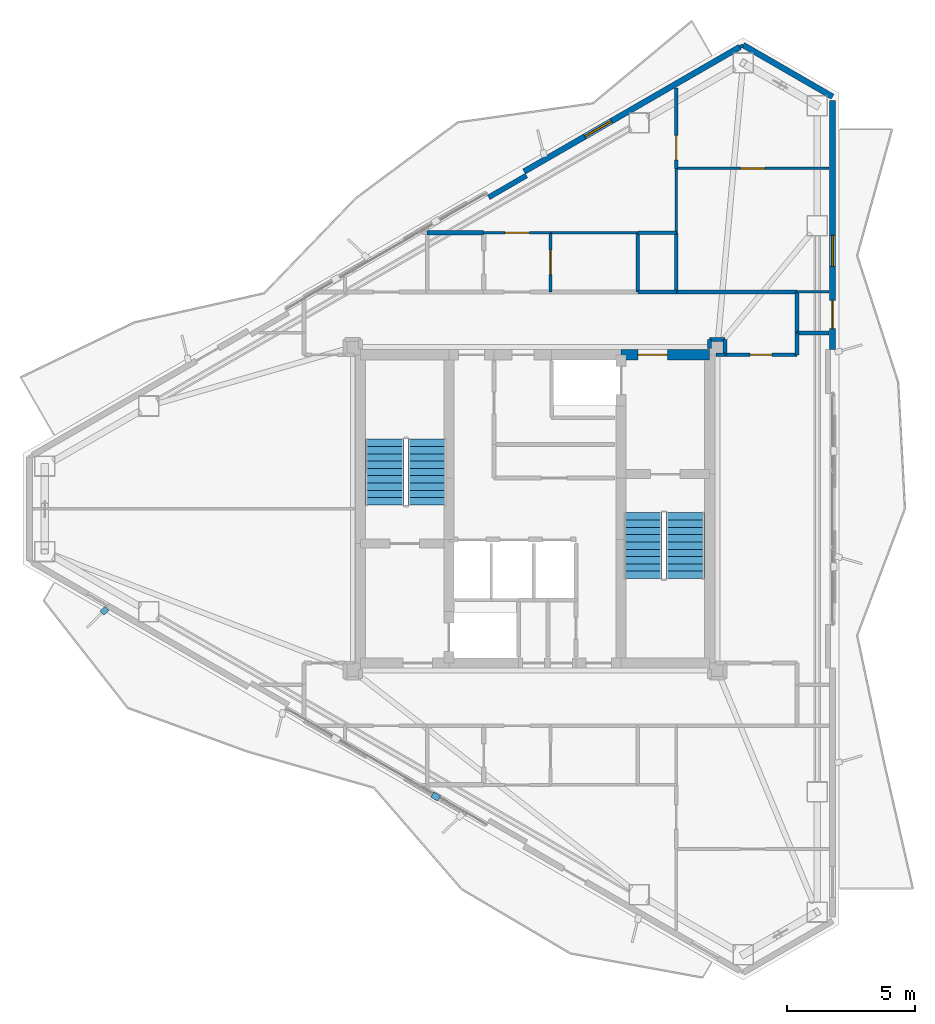
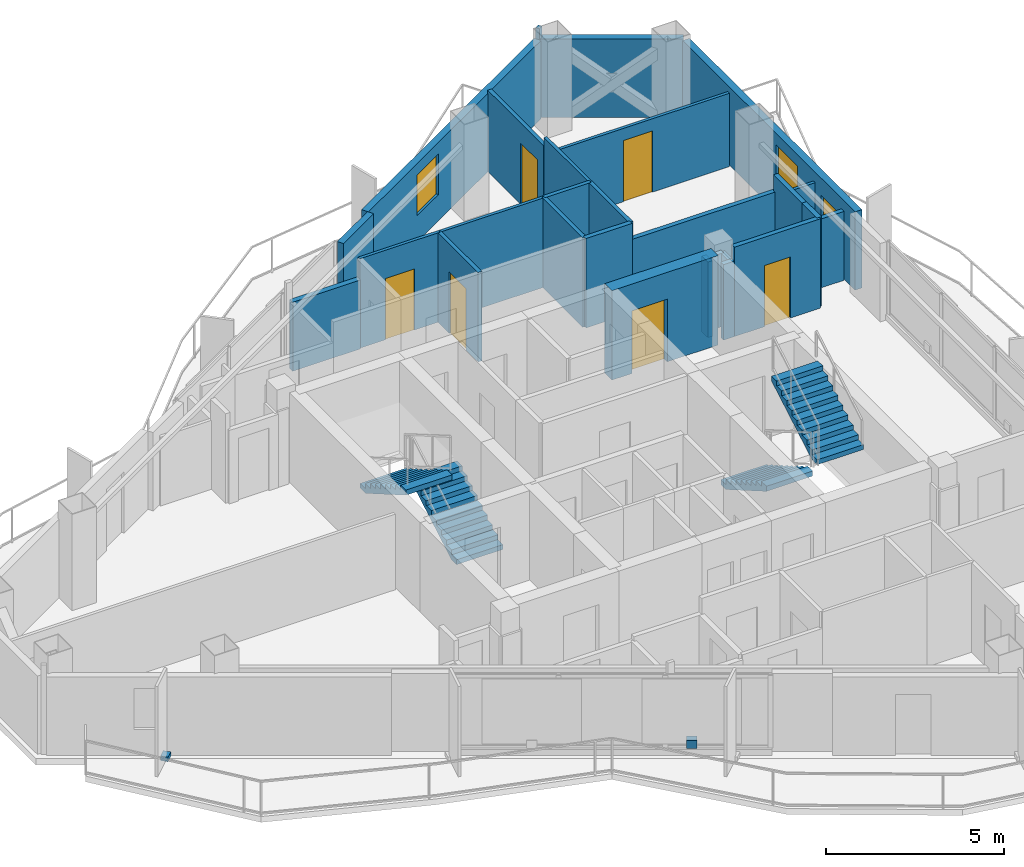
# One storey, part 19 of 22: 27 walls, 7 doors, 4 stair flights, 2 discrete accessories, 2 windows, 9 openings, 2 elements without a shape of their own.
"""IFC4 building model written with IfcOpenShell, lengths in metres."""

from ifc_helpers import new_model, si_unit, direction, frame, frame_2d, origin, origin_2d, place, context, subcontext, project, spatial, polyline, rectangle, outline, extrude, material, layer, layer_set, type_object, element, fill, aggregate, save


model = new_model("IFC4")

# Units and contexts
model_context = context("Model", 3, precision=1e-05, world=origin(), true_north=direction((0.0, 1.0)))
body_context = subcontext(model_context, "Body", "Model", "MODEL_VIEW")
ifc_project = project(units=[si_unit("LENGTHUNIT", "METRE"), si_unit("AREAUNIT", "SQUARE_METRE"), si_unit("VOLUMEUNIT", "CUBIC_METRE"), si_unit("PLANEANGLEUNIT", "RADIAN"), si_unit("MASSUNIT", "GRAM", prefix="KILO")], contexts=[model_context])

# Site, building, storey
site_placement = place(None, origin())
site = spatial("IfcSite", under=ifc_project, at=site_placement, CompositionType="ELEMENT")
building_placement = place(site_placement, origin())
building = spatial("IfcBuilding", under=site, at=building_placement, Name="Mersakhor Tower and Convention Hall", CompositionType="ELEMENT")
storey_placement = place(building_placement, frame((0.0, 0.0, 205.199951171875)))
storey = spatial("IfcBuildingStorey", under=building, at=storey_placement, Name="L57", CompositionType="ELEMENT", Elevation=205.199951171875)

# Wall
ifc_material_1 = material(Name="Precast concrete C40/50", Category="concrete")
ifc_layer_1 = layer(ifc_material_1, 0.22509765625)
ifc_layer_set_1 = layer_set([ifc_layer_1], Name="Precast concrete C40/50")
wall_type_1 = type_object("IfcWallType", Name="WL-EXT-225", PredefinedType="SOLIDWALL", material=ifc_layer_set_1)
wall_1_placement = place(storey_placement, frame((37.10400390625, 44.81005859375, 0.0), z_axis=(0.0, 0.0, 1.0), x_axis=(0.866023907196, -0.500002592159, 0.0)))
element("IfcWall", 1, at=wall_1_placement, inside=storey, type_object=wall_type_1, Name="L57 Chamfer Braced Spandrel Wall C1", PredefinedType="SOLIDWALL", context=body_context, shape_type="SweptSolid", body=[
    extrude(rectangle(XDim=4.0234375, YDim=0.22509765625, at=frame_2d((2.01171875, 0.0))), origin(), (0.0, 0.0, 1.0), 2.68994140625),
])

# Wall, opening, window
wall_2_placement = place(storey_placement, frame((28.57470703125, 39.885498046875, 0.0), z_axis=(0.0, 0.0, 1.0), x_axis=(0.866016233231, 0.500015883528, 0.0)))
wall_2 = element("IfcWall", 2, at=wall_2_placement, inside=storey, type_object=wall_type_1, Name="L57 Exterior Facade Wall F1-B3", PredefinedType="SOLIDWALL", context=body_context, shape_type="SweptSolid", body=[
    extrude(rectangle(XDim=9.698974609375, YDim=0.22509765625, at=frame_2d((4.849609375, 0.0))), origin(), (0.0, 0.0, 1.0), 2.68994140625),
])
opening_1_placement = place(wall_2_placement, frame((2.73388671875, 0.0, 0.89990234375)))
opening_1 = element("IfcOpeningElement", 3, at=opening_1_placement, cuts=wall_2, Name="Opening W-01", PredefinedType="OPENING", context=body_context, shape_type="SweptSolid", body=[
    extrude(rectangle(XDim=1.199951171875, YDim=1.39990234375, at=frame_2d((0.60009765625, 0.699951171875))), frame((0.0, 0.12255859375, 0.0), z_axis=(0.0, -1.0, 0.0), x_axis=(1.0, 0.0, 0.0)), (0.0, 0.0, 1.0), 0.2451171875),
])
ifc_material_2 = material(Name="Dark solar low-E glazed aluminium window", Category="aluminium")
window_type = type_object("IfcWindowType", Name="WN-RES-120x150", PartitioningType="SINGLE_PANEL", PredefinedType="WINDOW", material=ifc_material_2)
window_1_placement = place(opening_1_placement, origin())
window_1 = element("IfcWindow", 4, at=window_1_placement, inside=storey, type_object=window_type, Name="L57 Bedroom Facade Window F1-B3-1", OverallHeight=1.39990234375, OverallWidth=1.199951171875, PartitioningType="SINGLE_PANEL", PredefinedType="WINDOW", context=body_context, shape_type="SweptSolid", body=[
    extrude(rectangle(XDim=1.199951171875, YDim=1.39990234375, at=frame_2d((0.60009765625, 0.699951171875))), frame((0.0, 0.030029296875, 0.0), z_axis=(0.0, -1.0, 0.0), x_axis=(1.0, 0.0, 0.0)), (0.0, 0.0, 1.0), 0.06005859375),
])
fill(opening_1, window_1)

# Wall, openings, door, window
wall_3_placement = place(storey_placement, frame((40.58837890625, 42.6484375, 0.0), z_axis=(0.0, 0.0, 1.0), x_axis=(0.0, -1.0, 0.0)))
wall_3 = element("IfcWall", 5, at=wall_3_placement, inside=storey, type_object=wall_type_1, Name="L57 Exterior Facade Wall F2-B1", PredefinedType="SOLIDWALL", context=body_context, shape_type="SweptSolid", body=[
    extrude(rectangle(XDim=9.698974609375, YDim=0.22509765625, at=frame_2d((4.849609375, 0.0))), origin(), (0.0, 0.0, 1.0), 2.68994140625),
])
opening_2_placement = place(wall_3_placement, frame((7.783935546875, 0.0, 0.0)))
opening_2 = element("IfcOpeningElement", 6, at=opening_2_placement, cuts=wall_3, Name="Opening BD-02", PredefinedType="OPENING", context=body_context, shape_type="SweptSolid", body=[
    extrude(rectangle(XDim=1.10009765625, YDim=2.10009765625, at=frame_2d((0.550048828125, 1.050048828125))), frame((0.0, 0.12255859375, 0.0), z_axis=(0.0, -1.0, 0.0), x_axis=(1.0, 0.0, 0.0)), (0.0, 0.0, 1.0), 0.2451171875),
])
opening_3_placement = place(wall_3_placement, frame((5.251953125, 0.0, 0.89990234375)))
opening_3 = element("IfcOpeningElement", 7, at=opening_3_placement, cuts=wall_3, Name="Opening W-01", PredefinedType="OPENING", context=body_context, shape_type="SweptSolid", body=[
    extrude(rectangle(XDim=1.199951171875, YDim=1.39990234375, at=frame_2d((0.60009765625, 0.699951171875))), frame((0.0, 0.12255859375, 0.0), z_axis=(0.0, -1.0, 0.0), x_axis=(1.0, 0.0, 0.0)), (0.0, 0.0, 1.0), 0.2451171875),
])
ifc_material_3 = material(Name="Thermally broken dark aluminium and safety glass", Category="aluminium")
door_type_1 = type_object("IfcDoorType", Name="DR-BAL-110x210", OperationType="NOTDEFINED", PredefinedType="DOOR", material=ifc_material_3)
door_1_placement = place(opening_2_placement, origin())
door_1 = element("IfcDoor", 8, at=door_1_placement, inside=storey, type_object=door_type_1, Name="L57 Balcony Terrace Door F2-B1", OperationType="SINGLE_SWING_RIGHT", OverallHeight=2.10009765625, OverallWidth=1.10009765625, PredefinedType="DOOR", context=body_context, shape_type="SweptSolid", body=[
    extrude(rectangle(XDim=1.10009765625, YDim=2.10009765625, at=frame_2d((0.550048828125, 1.050048828125))), frame((0.0, 0.02490234375, 0.0), z_axis=(0.0, -1.0, 0.0), x_axis=(1.0, 0.0, 0.0)), (0.0, 0.0, 1.0), 0.050048828125),
])
fill(opening_2, door_1)
window_2_placement = place(opening_3_placement, origin())
window_2 = element("IfcWindow", 9, at=window_2_placement, inside=storey, type_object=window_type, Name="L57 Bedroom Facade Window F2-B1-1", OverallHeight=1.39990234375, OverallWidth=1.199951171875, PartitioningType="SINGLE_PANEL", PredefinedType="WINDOW", context=body_context, shape_type="SweptSolid", body=[
    extrude(rectangle(XDim=1.199951171875, YDim=1.39990234375, at=frame_2d((0.60009765625, 0.699951171875))), frame((0.0, 0.030029296875, 0.0), z_axis=(0.0, -1.0, 0.0), x_axis=(1.0, 0.0, 0.0)), (0.0, 0.0, 1.0), 0.06005859375),
])
fill(opening_3, window_2)

# Walls
ifc_material_4 = material(Name="Precast concrete C40/50", Category="concrete")
ifc_layer_2 = layer(ifc_material_4, 0.199951171875)
ifc_layer_set_2 = layer_set([ifc_layer_2], Name="Precast concrete C40/50")
wall_type_2 = type_object("IfcWallType", Name="WL-PAR-200", PredefinedType="PARAPET", material=ifc_layer_set_2)
wall_4_placement = place(storey_placement, frame((27.1923828125, 38.879638671875, 0.0), z_axis=(0.0, 0.0, 1.0), x_axis=(0.866025371046, 0.500000056704, 0.0)))
element("IfcWall", 10, at=wall_4_placement, inside=storey, type_object=wall_type_2, Name="L57 Column Pier Cladding Wall F1-C2", PredefinedType="PARAPET", context=body_context, shape_type="SweptSolid", body=[
    extrude(rectangle(XDim=1.7001953125, YDim=0.199951171875, at=frame_2d((0.85009765625, 0.0))), origin(), (0.0, 0.0, 1.0), 2.68994140625),
])
ifc_material_5 = material(Name="Moisture-resistant acoustic drywall studwork", Category="other")
ifc_layer_3 = layer(ifc_material_5, 0.175048828125)
ifc_layer_set_3 = layer_set([ifc_layer_3], Name="Moisture-resistant acoustic drywall studwork")
wall_type_3 = type_object("IfcWallType", Name="WL-PLM-175", PredefinedType="PLUMBINGWALL", material=ifc_layer_set_3)
wall_5_placement = place(storey_placement, frame((24.800048828125, 37.5, 0.0), z_axis=(0.0, 0.0, 1.0), x_axis=(1.0, 0.0, 0.0)))
element("IfcWall", 11, at=wall_5_placement, inside=storey, type_object=wall_type_3, Name="L57 Interior Partition Wall P-060", PredefinedType="PLUMBINGWALL", context=body_context, shape_type="SweptSolid", body=[
    extrude(rectangle(XDim=2.199951171875, YDim=0.175048828125, at=frame_2d((1.10009765625, 0.0))), origin(), (0.0, 0.0, 1.0), 2.364990234375),
])

# Wall, opening, door
ifc_material_6 = material(Name="Lightweight gypsum partition", Category="other")
ifc_layer_4 = layer(ifc_material_6, 0.10009765625)
ifc_layer_set_4 = layer_set([ifc_layer_4], Name="Lightweight gypsum partition")
wall_type_4 = type_object("IfcWallType", Name="WL-PRT-100", PredefinedType="PARTITIONING", material=ifc_layer_set_4)
wall_6_placement = place(storey_placement, frame((27.0, 37.5, 0.0), z_axis=(0.0, 0.0, 1.0), x_axis=(1.0, 0.0, 0.0)))
wall_6 = element("IfcWall", 12, at=wall_6_placement, inside=storey, type_object=wall_type_4, Name="L57 Interior Partition Wall P-054", PredefinedType="PARTITIONING", context=body_context, shape_type="SweptSolid", body=[
    extrude(rectangle(XDim=2.60009765625, YDim=0.10009765625, at=frame_2d((1.300048828125, 0.0))), origin(), (0.0, 0.0, 1.0), 3.070068359375),
])
opening_4_placement = place(wall_6_placement, frame((0.824951171875, 0.0, 0.0)))
opening_4 = element("IfcOpeningElement", 13, at=opening_4_placement, cuts=wall_6, Name="Opening RD-01", PredefinedType="OPENING", context=body_context, shape_type="SweptSolid", body=[
    extrude(rectangle(XDim=0.949951171875, YDim=2.10009765625, at=frame_2d((0.47509765625, 1.050048828125))), frame((0.0, 0.06005859375, 0.0), z_axis=(0.0, -1.0, 0.0), x_axis=(1.0, 0.0, 0.0)), (0.0, 0.0, 1.0), 0.1201171875),
])
ifc_material_7 = material(Name="Solid-core hardwood leaf in painted steel frame", Category="steel")
door_type_2 = type_object("IfcDoorType", Name="DR-INT-RM-095x210", OperationType="NOTDEFINED", PredefinedType="DOOR", material=ifc_material_7)
door_2_placement = place(opening_4_placement, origin())
door_2 = element("IfcDoor", 14, at=door_2_placement, inside=storey, type_object=door_type_2, Name="L57 L57 Flat N2 Apartment Hall to L57 Flat N2 Bedroom 1 Door", OperationType="SINGLE_SWING_RIGHT", OverallHeight=2.10009765625, OverallWidth=0.949951171875, PredefinedType="DOOR", context=body_context, shape_type="SweptSolid", body=[
    extrude(rectangle(XDim=0.949951171875, YDim=2.10009765625, at=frame_2d((0.47509765625, 1.050048828125))), frame((0.0, 0.02490234375, 0.0), z_axis=(0.0, -1.0, 0.0), x_axis=(1.0, 0.0, 0.0)), (0.0, 0.0, 1.0), 0.050048828125),
])
fill(opening_4, door_2)

# Walls
wall_7_placement = place(storey_placement, frame((29.60009765625, 37.5, 0.0), z_axis=(0.0, 0.0, 1.0), x_axis=(1.0, 0.0, 0.0)))
element("IfcWall", 15, at=wall_7_placement, inside=storey, type_object=wall_type_4, Name="L57 Interior Partition Wall P-062", PredefinedType="PARTITIONING", context=body_context, shape_type="SweptSolid", body=[
    extrude(rectangle(XDim=3.39990234375, YDim=0.10009765625, at=frame_2d((1.699951171875, 0.0))), origin(), (0.0, 0.0, 1.0), 3.070068359375),
])
wall_8_placement = place(storey_placement, frame((34.5, 40.010009765625, 0.0), z_axis=(0.0, 0.0, 1.0), x_axis=(0.0, -1.0, 0.0)))
element("IfcWall", 16, at=wall_8_placement, inside=storey, type_object=wall_type_4, Name="L57 Interior Partition Wall P-084", PredefinedType="PARTITIONING", context=body_context, shape_type="SweptSolid", body=[
    extrude(rectangle(XDim=2.510009765625, YDim=0.10009765625, at=frame_2d((1.2548828125, 0.0))), origin(), (0.0, 0.0, 1.0), 3.070068359375),
])
wall_9_placement = place(storey_placement, frame((40.451904296875, 35.199951171875, 0.0), z_axis=(0.0, 0.0, 1.0), x_axis=(-1.0, 0.0, 0.0)))
element("IfcWall", 17, at=wall_9_placement, inside=storey, type_object=wall_type_4, Name="L57 Interior Partition Wall P-086", PredefinedType="PARTITIONING", context=body_context, shape_type="SweptSolid", body=[
    extrude(rectangle(XDim=1.251953125, YDim=0.10009765625, at=frame_2d((0.6259765625, 0.0))), origin(), (0.0, 0.0, 1.0), 2.364990234375),
])

# Wall, opening, door
wall_10_placement = place(storey_placement, frame((34.5, 40.010009765625, 0.0), z_axis=(0.0, 0.0, 1.0), x_axis=(1.0, 0.0, 0.0)))
wall_10 = element("IfcWall", 18, at=wall_10_placement, inside=storey, type_object=wall_type_4, Name="L57 Interior Partition Wall P-088", PredefinedType="PARTITIONING", context=body_context, shape_type="SweptSolid", body=[
    extrude(rectangle(XDim=5.951904296875, YDim=0.10009765625, at=frame_2d((2.97607421875, 0.0))), origin(), (0.0, 0.0, 1.0), 2.518310546875),
])
opening_5_placement = place(wall_10_placement, frame((2.5009765625, 0.0, 0.0)))
opening_5 = element("IfcOpeningElement", 19, at=opening_5_placement, cuts=wall_10, Name="Opening RD-01", PredefinedType="OPENING", context=body_context, shape_type="SweptSolid", body=[
    extrude(rectangle(XDim=0.949951171875, YDim=2.10009765625, at=frame_2d((0.47509765625, 1.050048828125))), frame((0.0, 0.06005859375, 0.0), z_axis=(0.0, -1.0, 0.0), x_axis=(1.0, 0.0, 0.0)), (0.0, 0.0, 1.0), 0.1201171875),
])
door_3_placement = place(opening_5_placement, origin())
door_3 = element("IfcDoor", 20, at=door_3_placement, inside=storey, type_object=door_type_2, Name="L57 L57 Flat N2 Bedroom 2 to L57 Flat N2 Study Room Door", OperationType="SINGLE_SWING_LEFT", OverallHeight=2.10009765625, OverallWidth=0.949951171875, PredefinedType="DOOR", context=body_context, shape_type="SweptSolid", body=[
    extrude(rectangle(XDim=0.949951171875, YDim=2.10009765625, at=frame_2d((0.47509765625, 1.050048828125))), frame((0.0, 0.02490234375, 0.0), z_axis=(0.0, -1.0, 0.0), x_axis=(1.0, 0.0, 0.0)), (0.0, 0.0, 1.0), 0.050048828125),
])
fill(opening_5, door_3)

ifc_material_8 = material(Name="Gypsum board acoustic partition", Category="other")
ifc_layer_5 = layer(ifc_material_8, 0.125)
ifc_layer_set_5 = layer_set([ifc_layer_5], Name="Gypsum board acoustic partition")
wall_type_5 = type_object("IfcWallType", Name="WL-PRT-125", PredefinedType="PARTITIONING", material=ifc_layer_set_5)
wall_11_placement = place(storey_placement, frame((29.60009765625, 37.5, 0.0), z_axis=(0.0, 0.0, 1.0), x_axis=(0.0, -1.0, 0.0)))
wall_11 = element("IfcWall", 21, at=wall_11_placement, inside=storey, type_object=wall_type_5, Name="L57 Interior Partition Wall P-055", PredefinedType="PARTITIONING", context=body_context, shape_type="SweptSolid", body=[
    extrude(rectangle(XDim=2.300048828125, YDim=0.125, at=frame_2d((1.14990234375, 0.0))), origin(), (0.0, 0.0, 1.0), 3.070068359375),
])
opening_6_placement = place(wall_11_placement, frame((0.675048828125, 0.0, 0.0)))
opening_6 = element("IfcOpeningElement", 22, at=opening_6_placement, cuts=wall_11, Name="Opening RD-01", PredefinedType="OPENING", context=body_context, shape_type="SweptSolid", body=[
    extrude(rectangle(XDim=0.949951171875, YDim=2.10009765625, at=frame_2d((0.47509765625, 1.050048828125))), frame((0.0, 0.072509765625, 0.0), z_axis=(0.0, -1.0, 0.0), x_axis=(1.0, 0.0, 0.0)), (0.0, 0.0, 1.0), 0.14501953125),
])
door_4_placement = place(opening_6_placement, origin())
door_4 = element("IfcDoor", 23, at=door_4_placement, inside=storey, type_object=door_type_2, Name="L57 L57 Flat N2 Apartment Hall to L57 Flat N2 Kitchen Door", OperationType="SINGLE_SWING_LEFT", OverallHeight=2.10009765625, OverallWidth=0.949951171875, PredefinedType="DOOR", context=body_context, shape_type="SweptSolid", body=[
    extrude(rectangle(XDim=0.949951171875, YDim=2.10009765625, at=frame_2d((0.47509765625, 1.050048828125))), frame((0.0, 0.02490234375, 0.0), z_axis=(0.0, -1.0, 0.0), x_axis=(1.0, 0.0, 0.0)), (0.0, 0.0, 1.0), 0.050048828125),
])
fill(opening_6, door_4)

# Wall
wall_12_placement = place(storey_placement, frame((33.0, 37.5, 0.0), z_axis=(0.0, 0.0, 1.0), x_axis=(0.0, -1.0, 0.0)))
element("IfcWall", 24, at=wall_12_placement, inside=storey, type_object=wall_type_5, Name="L57 Interior Partition Wall P-063", PredefinedType="PARTITIONING", context=body_context, shape_type="SweptSolid", body=[
    extrude(rectangle(XDim=2.300048828125, YDim=0.125, at=frame_2d((1.14990234375, 0.0))), origin(), (0.0, 0.0, 1.0), 3.070068359375),
])

# Wall, opening, door
wall_13_placement = place(storey_placement, frame((34.5, 43.14892578125, 0.0), z_axis=(0.0, 0.0, 1.0), x_axis=(0.0, -1.0, 0.0)))
wall_13 = element("IfcWall", 25, at=wall_13_placement, inside=storey, type_object=wall_type_5, Name="L57 Interior Partition Wall P-083", PredefinedType="PARTITIONING", context=body_context, shape_type="SweptSolid", body=[
    extrude(rectangle(XDim=3.138916015625, YDim=0.125, at=frame_2d((1.5693359375, 0.0))), origin(), (0.0, 0.0, 1.0), 2.794677734375),
])
opening_7_placement = place(wall_13_placement, frame((1.855224609375, 0.0, 0.0)))
opening_7 = element("IfcOpeningElement", 26, at=opening_7_placement, cuts=wall_13, Name="Opening RD-01", PredefinedType="OPENING", context=body_context, shape_type="SweptSolid", body=[
    extrude(rectangle(XDim=0.949951171875, YDim=2.10009765625, at=frame_2d((0.47509765625, 1.050048828125))), frame((0.0, 0.072509765625, 0.0), z_axis=(0.0, -1.0, 0.0), x_axis=(1.0, 0.0, 0.0)), (0.0, 0.0, 1.0), 0.14501953125),
])
door_5_placement = place(opening_7_placement, origin())
door_5 = element("IfcDoor", 27, at=door_5_placement, inside=storey, type_object=door_type_2, Name="L57 L57 Flat N2 Bedroom 1 to L57 Flat N2 Study Room Door", OperationType="SINGLE_SWING_RIGHT", OverallHeight=2.10009765625, OverallWidth=0.949951171875, PredefinedType="DOOR", context=body_context, shape_type="SweptSolid", body=[
    extrude(rectangle(XDim=0.949951171875, YDim=2.10009765625, at=frame_2d((0.47509765625, 1.050048828125))), frame((0.0, 0.02490234375, 0.0), z_axis=(0.0, -1.0, 0.0), x_axis=(1.0, 0.0, 0.0)), (0.0, 0.0, 1.0), 0.050048828125),
])
fill(opening_7, door_5)

# Walls
wall_14_placement = place(storey_placement, frame((34.5, 37.5, 0.0), z_axis=(0.0, 0.0, 1.0), x_axis=(-1.0, 0.0, 0.0)))
element("IfcWall", 28, at=wall_14_placement, inside=storey, type_object=wall_type_5, Name="L57 Interior Partition Wall P-085", PredefinedType="PARTITIONING", context=body_context, shape_type="SweptSolid", body=[
    extrude(rectangle(XDim=1.5, YDim=0.125, at=frame_2d((0.75, 0.0))), origin(), (0.0, 0.0, 1.0), 3.070068359375),
])
wall_15_placement = place(storey_placement, frame((34.5, 35.199951171875, 0.0), z_axis=(0.0, 0.0, 1.0), x_axis=(0.0, 1.0, 0.0)))
element("IfcWall", 29, at=wall_15_placement, inside=storey, type_object=wall_type_5, Name="L57 Interior Partition Wall P-087", PredefinedType="PARTITIONING", context=body_context, shape_type="SweptSolid", body=[
    extrude(rectangle(XDim=2.300048828125, YDim=0.125, at=frame_2d((1.14990234375, 0.0))), origin(), (0.0, 0.0, 1.0), 3.070068359375),
])
wall_16_placement = place(storey_placement, frame((36.97412109375, 44.735107421875, 0.0), z_axis=(0.0, 0.0, 1.0), x_axis=(0.866131372301, 0.499816412211, 0.0)))
element("IfcWall", 30, at=wall_16_placement, inside=storey, type_object=wall_type_5, Name="L57 Interior Partition Wall P-089", PredefinedType="PARTITIONING", context=body_context, shape_type="SweptSolid", body=[
    extrude(rectangle(XDim=0.14990234375, YDim=0.125, at=frame_2d((0.074951171875, 0.0))), origin(), (0.0, 0.0, 1.0), 3.070068359375),
])
ifc_material_9 = material(Name="Fire-rated gypsum board stud partition", Category="other")
ifc_layer_6 = layer(ifc_material_9, 0.14990234375)
ifc_layer_set_6 = layer_set([ifc_layer_6], Name="Fire-rated gypsum board stud partition")
wall_type_6 = type_object("IfcWallType", Name="WL-PRT-150", PredefinedType="PARTITIONING", material=ifc_layer_set_6)
wall_17_placement = place(storey_placement, frame((39.199951171875, 35.199951171875, 0.0), z_axis=(0.0, 0.0, 1.0), x_axis=(0.0, -1.0, 0.0)))
element("IfcWall", 31, at=wall_17_placement, inside=storey, type_object=wall_type_6, Name="L57 Interior Partition Wall P-016", PredefinedType="PARTITIONING", context=body_context, shape_type="SweptSolid", body=[
    extrude(rectangle(XDim=1.599853515625, YDim=0.14990234375, at=frame_2d((0.7998046875, 0.0))), origin(), (0.0, 0.0, 1.0), 3.070068359375),
])
wall_18_placement = place(storey_placement, frame((39.199951171875, 33.60009765625, 0.0), z_axis=(0.0, 0.0, 1.0), x_axis=(0.0, -1.0, 0.0)))
element("IfcWall", 32, at=wall_18_placement, inside=storey, type_object=wall_type_6, Name="L57 Interior Partition Wall P-017", PredefinedType="PARTITIONING", context=body_context, shape_type="SweptSolid", body=[
    extrude(rectangle(XDim=0.85009765625, YDim=0.14990234375, at=frame_2d((0.425048828125, 0.0))), origin(), (0.0, 0.0, 1.0), 3.070068359375),
])

# Wall, opening, door
wall_19_placement = place(storey_placement, frame((39.199951171875, 32.75, 0.0), z_axis=(0.0, 0.0, 1.0), x_axis=(-1.0, 0.0, 0.0)))
wall_19 = element("IfcWall", 33, at=wall_19_placement, inside=storey, type_object=wall_type_6, Name="L57 Interior Partition Wall P-018", PredefinedType="PARTITIONING", context=body_context, shape_type="SweptSolid", body=[
    extrude(rectangle(XDim=2.800048828125, YDim=0.14990234375, at=frame_2d((1.39990234375, 0.0))), origin(), (0.0, 0.0, 1.0), 3.070068359375),
])
opening_8_placement = place(wall_19_placement, frame((0.97509765625, 0.0, 0.0)))
opening_8 = element("IfcOpeningElement", 34, at=opening_8_placement, cuts=wall_19, Name="Opening SVD-01", PredefinedType="OPENING", context=body_context, shape_type="SweptSolid", body=[
    extrude(rectangle(XDim=0.85009765625, YDim=2.10009765625, at=frame_2d((0.425048828125, 1.050048828125))), frame((0.0, 0.0849609375, 0.0), z_axis=(0.0, -1.0, 0.0), x_axis=(1.0, 0.0, 0.0)), (0.0, 0.0, 1.0), 0.169921875),
])
ifc_material_10 = material(Name="Fire-rated hardwood leaf and painted steel frame", Category="steel")
door_type_3 = type_object("IfcDoorType", Name="DR-INT-SVC-085x210", OperationType="NOTDEFINED", PredefinedType="DOOR", material=ifc_material_10)
door_6_placement = place(opening_8_placement, origin())
door_6 = element("IfcDoor", 35, at=door_6_placement, inside=storey, type_object=door_type_3, Name="L57 Residential North Gallery Corridor to L57 East Wing Household Store Door", OperationType="SINGLE_SWING_RIGHT", OverallHeight=2.10009765625, OverallWidth=0.85009765625, PredefinedType="DOOR", context=body_context, shape_type="SweptSolid", body=[
    extrude(rectangle(XDim=0.85009765625, YDim=2.10009765625, at=frame_2d((0.425048828125, 1.050048828125))), frame((0.0, 0.02490234375, 0.0), z_axis=(0.0, -1.0, 0.0), x_axis=(1.0, 0.0, 0.0)), (0.0, 0.0, 1.0), 0.050048828125),
])
fill(opening_8, door_6)

# Walls
wall_20_placement = place(storey_placement, frame((36.39990234375, 32.75, 0.0), z_axis=(0.0, 0.0, 1.0), x_axis=(0.0, 1.0, 0.0)))
element("IfcWall", 36, at=wall_20_placement, inside=storey, type_object=wall_type_6, Name="L57 Interior Partition Wall P-019", PredefinedType="PARTITIONING", context=body_context, shape_type="SweptSolid", body=[
    extrude(rectangle(XDim=0.60009765625, YDim=0.14990234375, at=frame_2d((0.300048828125, 0.0))), origin(), (0.0, 0.0, 1.0), 2.518310546875),
])
wall_21_placement = place(storey_placement, frame((36.39990234375, 33.35009765625, 0.0), z_axis=(0.0, 0.0, 1.0), x_axis=(-1.0, 0.0, 0.0)))
element("IfcWall", 37, at=wall_21_placement, inside=storey, type_object=wall_type_6, Name="L57 Interior Partition Wall P-020", PredefinedType="PARTITIONING", context=body_context, shape_type="SweptSolid", body=[
    extrude(rectangle(XDim=0.599853515625, YDim=0.14990234375, at=frame_2d((0.2998046875, 0.0))), origin(), (0.0, 0.0, 1.0), 2.518310546875),
])
wall_22_placement = place(storey_placement, frame((35.800048828125, 33.35009765625, 0.0), z_axis=(0.0, 0.0, 1.0), x_axis=(0.0, -1.0, 0.0)))
element("IfcWall", 38, at=wall_22_placement, inside=storey, type_object=wall_type_6, Name="L57 Interior Partition Wall P-021", PredefinedType="PARTITIONING", context=body_context, shape_type="SweptSolid", body=[
    extrude(rectangle(XDim=0.35009765625, YDim=0.14990234375, at=frame_2d((0.175048828125, 0.0))), origin(), (0.0, 0.0, 1.0), 2.594970703125),
])
wall_23_placement = place(storey_placement, frame((33.0, 35.199951171875, 0.0), z_axis=(0.0, 0.0, 1.0), x_axis=(1.0, 0.0, 0.0)))
element("IfcWall", 39, at=wall_23_placement, inside=storey, type_object=wall_type_6, Name="L57 Interior Partition Wall P-033", PredefinedType="PARTITIONING", context=body_context, shape_type="SweptSolid", body=[
    extrude(rectangle(XDim=1.5, YDim=0.14990234375, at=frame_2d((0.75, 0.0))), origin(), (0.0, 0.0, 1.0), 3.070068359375),
])
wall_24_placement = place(storey_placement, frame((34.5, 35.199951171875, 0.0), z_axis=(0.0, 0.0, 1.0), x_axis=(1.0, 0.0, 0.0)))
element("IfcWall", 40, at=wall_24_placement, inside=storey, type_object=wall_type_6, Name="L57 Interior Partition Wall P-034", PredefinedType="PARTITIONING", context=body_context, shape_type="SweptSolid", body=[
    extrude(rectangle(XDim=4.699951171875, YDim=0.14990234375, at=frame_2d((2.35009765625, 0.0))), origin(), (0.0, 0.0, 1.0), 2.518310546875),
])
wall_25_placement = place(storey_placement, frame((36.050048828125, 32.75, 0.0), z_axis=(0.0, 0.0, 1.0), x_axis=(1.0, 0.0, 0.0)))
element("IfcWall", 41, at=wall_25_placement, inside=storey, type_object=wall_type_6, Name="L57 Interior Partition Wall P-078", PredefinedType="PARTITIONING", context=body_context, shape_type="SweptSolid", body=[
    extrude(rectangle(XDim=0.349853515625, YDim=0.14990234375, at=frame_2d((0.1748046875, 0.0))), origin(), (0.0, 0.0, 1.0), 2.594970703125),
])
wall_26_placement = place(storey_placement, frame((39.199951171875, 33.60009765625, 0.0), z_axis=(0.0, 0.0, 1.0), x_axis=(1.0, 0.0, 0.0)))
element("IfcWall", 42, at=wall_26_placement, inside=storey, type_object=wall_type_6, Name="L57 Interior Partition Wall P-079", PredefinedType="PARTITIONING", context=body_context, shape_type="SweptSolid", body=[
    extrude(rectangle(XDim=1.251953125, YDim=0.14990234375, at=frame_2d((0.6259765625, 0.0))), origin(), (0.0, 0.0, 1.0), 2.364990234375),
])

# Wall, opening, door
ifc_material_11 = material(Name="Concrete C60/75", Category="concrete")
ifc_layer_7 = layer(ifc_material_11, 0.39990234375)
ifc_layer_set_7 = layer_set([ifc_layer_7], Name="Concrete C60/75")
wall_type_7 = type_object("IfcWallType", Name="WL-SHR-400", PredefinedType="SHEAR", material=ifc_layer_set_7)
wall_27_placement = place(storey_placement, frame((32.35009765625, 32.75, 0.0), z_axis=(0.0, 0.0, 1.0), x_axis=(1.0, 0.0, 0.0)))
wall_27 = element("IfcWall", 43, at=wall_27_placement, inside=storey, type_object=wall_type_7, Name="L57 Core Wall CW-N4", PredefinedType="SHEAR", context=body_context, shape_type="SweptSolid", body=[
    extrude(rectangle(XDim=3.449951171875, YDim=0.39990234375, at=frame_2d((1.72509765625, 0.0))), origin(), (0.0, 0.0, 1.0), 3.070068359375),
])
opening_9_placement = place(wall_27_placement, frame((0.64990234375, 0.0, 0.0)))
opening_9 = element("IfcOpeningElement", 44, at=opening_9_placement, cuts=wall_27, Name="Opening SD-01", PredefinedType="OPENING", context=body_context, shape_type="SweptSolid", body=[
    extrude(rectangle(XDim=1.14990234375, YDim=2.14990234375, at=frame_2d((0.574951171875, 1.074951171875))), frame((0.0, 0.2099609375, 0.0), z_axis=(0.0, -1.0, 0.0), x_axis=(1.0, 0.0, 0.0)), (0.0, 0.0, 1.0), 0.419921875),
])
ifc_material_12 = material(Name="Fire-rated hardwood leaf and painted steel frame", Category="steel")
door_type_4 = type_object("IfcDoorType", Name="DR-INT-STAIR-115x215", OperationType="NOTDEFINED", PredefinedType="DOOR", material=ifc_material_12)
door_7_placement = place(opening_9_placement, origin())
door_7 = element("IfcDoor", 45, at=door_7_placement, inside=storey, type_object=door_type_4, Name="L57 Firefighting Lobby East Fire Door", OperationType="SINGLE_SWING_RIGHT", OverallHeight=2.14990234375, OverallWidth=1.14990234375, PredefinedType="DOOR", context=body_context, shape_type="SweptSolid", body=[
    extrude(rectangle(XDim=1.14990234375, YDim=2.14990234375, at=frame_2d((0.574951171875, 1.074951171875))), frame((0.0, 0.02490234375, 0.0), z_axis=(0.0, -1.0, 0.0), x_axis=(1.0, 0.0, 0.0)), (0.0, 0.0, 1.0), 0.050048828125),
])
fill(opening_9, door_7)

# Stair, stair flights
ifc_material_13 = material(Name="Concrete C45/55", Category="concrete")
stair_type = type_object("IfcStairType", Name="ST-TWR-20R", PredefinedType="HALF_TURN_STAIR", material=ifc_material_13)
stair_1_placement = place(storey_placement, origin())
stair_1 = element("IfcStair", 46, at=stair_1_placement, inside=storey, type_object=stair_type, Name="L57 Tower Protected Exit Stair ST-1", PredefinedType="HALF_TURN_STAIR")
ifc_material_14 = material(Name="Concrete C45/55", Category="concrete")
stair_flight_type = type_object("IfcStairFlightType", Name="SFL-TWR-20R", PredefinedType="STRAIGHT", material=ifc_material_14)
stair_flight_1_placement = place(storey_placement, frame((24.800048828125, 26.89990234375, 0.0), z_axis=(0.0, 0.0, 1.0), x_axis=(0.0, 1.0, 0.0)))
stair_flight_1 = element("IfcStairFlight", 47, at=stair_flight_1_placement, type_object=stair_flight_type, Name="ST-1 flight 1", NumberOfRisers=10, NumberOfTreads=9, PredefinedType="STRAIGHT", RiserHeight=0.165, TreadLength=0.285, context=body_context, shape_type="SweptSolid", body=[
    extrude(outline(polyline([(0.0, 0.0), (0.0, 0.1650390625), (0.284912109375, 0.1650390625), (0.284912109375, 0.330078125), (0.570068359375, 0.330078125), (0.570068359375, 0.4951171875), (0.85498046875, 0.4951171875), (0.85498046875, 0.659912109375), (1.139892578125, 0.659912109375), (1.139892578125, 0.824951171875), (1.425048828125, 0.824951171875), (1.425048828125, 0.989990234375), (1.7099609375, 0.989990234375), (1.7099609375, 1.155029296875), (1.9951171875, 1.155029296875), (1.9951171875, 1.320068359375), (2.280029296875, 1.320068359375), (2.280029296875, 1.485107421875), (2.56494140625, 1.485107421875), (2.56494140625, 1.64990234375), (2.56494140625, 1.311767578125), (0.299072265625, 0.0), (0.0, 0.0)])), frame((0.0, 0.75, 0.0), z_axis=(0.0, -1.0, 0.0), x_axis=(1.0, 0.0, 0.0)), (0.0, 0.0, 1.0), 1.5),
])
stair_flight_2_placement = place(storey_placement, frame((23.14990234375, 29.465087890625, 1.650146484375), z_axis=(0.0, 0.0, 1.0), x_axis=(0.0, -1.0, 0.0)))
stair_flight_2 = element("IfcStairFlight", 48, at=stair_flight_2_placement, type_object=stair_flight_type, Name="ST-1 flight 2", NumberOfRisers=10, NumberOfTreads=9, PredefinedType="STRAIGHT", RiserHeight=0.165, TreadLength=0.285, context=body_context, shape_type="SweptSolid", body=[
    extrude(outline(polyline([(0.0, 0.0), (0.0, 0.1650390625), (0.284912109375, 0.1650390625), (0.284912109375, 0.330078125), (0.570068359375, 0.330078125), (0.570068359375, 0.4951171875), (0.85498046875, 0.4951171875), (0.85498046875, 0.659912109375), (1.139892578125, 0.659912109375), (1.139892578125, 0.824951171875), (1.425048828125, 0.824951171875), (1.425048828125, 0.989990234375), (1.7099609375, 0.989990234375), (1.7099609375, 1.155029296875), (1.9951171875, 1.155029296875), (1.9951171875, 1.320068359375), (2.280029296875, 1.320068359375), (2.280029296875, 1.485107421875), (2.56494140625, 1.485107421875), (2.56494140625, 1.64990234375), (2.56494140625, 1.311767578125), (0.299072265625, 0.0), (0.0, 0.0)])), frame((0.0, 0.75, 0.0), z_axis=(0.0, -1.0, 0.0), x_axis=(1.0, 0.0, 0.0)), (0.0, 0.0, 1.0), 1.5),
])
aggregate(stair_1, [stair_flight_1, stair_flight_2])

stair_2_placement = place(storey_placement, origin())
stair_2 = element("IfcStair", 49, at=stair_2_placement, inside=storey, type_object=stair_type, Name="L57 Tower Protected Exit Stair ST-2", PredefinedType="HALF_TURN_STAIR")
stair_flight_3_placement = place(storey_placement, frame((33.199951171875, 26.60009765625, 0.0), z_axis=(0.0, 0.0, 1.0), x_axis=(0.0, -1.0, 0.0)))
stair_flight_3 = element("IfcStairFlight", 50, at=stair_flight_3_placement, type_object=stair_flight_type, Name="ST-2 flight 1", NumberOfRisers=10, NumberOfTreads=9, PredefinedType="STRAIGHT", RiserHeight=0.165, TreadLength=0.285, context=body_context, shape_type="SweptSolid", body=[
    extrude(outline(polyline([(0.0, 0.0), (0.0, 0.1650390625), (0.284912109375, 0.1650390625), (0.284912109375, 0.330078125), (0.570068359375, 0.330078125), (0.570068359375, 0.4951171875), (0.85498046875, 0.4951171875), (0.85498046875, 0.659912109375), (1.139892578125, 0.659912109375), (1.139892578125, 0.824951171875), (1.425048828125, 0.824951171875), (1.425048828125, 0.989990234375), (1.7099609375, 0.989990234375), (1.7099609375, 1.155029296875), (1.9951171875, 1.155029296875), (1.9951171875, 1.320068359375), (2.280029296875, 1.320068359375), (2.280029296875, 1.485107421875), (2.56494140625, 1.485107421875), (2.56494140625, 1.64990234375), (2.56494140625, 1.311767578125), (0.299072265625, 0.0), (0.0, 0.0)])), frame((0.0, 0.75, 0.0), z_axis=(0.0, -1.0, 0.0), x_axis=(1.0, 0.0, 0.0)), (0.0, 0.0, 1.0), 1.5),
])
stair_flight_4_placement = place(storey_placement, frame((34.85009765625, 24.034912109375, 1.650146484375), z_axis=(0.0, 0.0, 1.0), x_axis=(0.0, 1.0, 0.0)))
stair_flight_4 = element("IfcStairFlight", 51, at=stair_flight_4_placement, type_object=stair_flight_type, Name="ST-2 flight 2", NumberOfRisers=10, NumberOfTreads=9, PredefinedType="STRAIGHT", RiserHeight=0.165, TreadLength=0.285, context=body_context, shape_type="SweptSolid", body=[
    extrude(outline(polyline([(0.0, 0.0), (0.0, 0.1650390625), (0.284912109375, 0.1650390625), (0.284912109375, 0.330078125), (0.570068359375, 0.330078125), (0.570068359375, 0.4951171875), (0.85498046875, 0.4951171875), (0.85498046875, 0.659912109375), (1.139892578125, 0.659912109375), (1.139892578125, 0.824951171875), (1.425048828125, 0.824951171875), (1.425048828125, 0.989990234375), (1.7099609375, 0.989990234375), (1.7099609375, 1.155029296875), (1.9951171875, 1.155029296875), (1.9951171875, 1.320068359375), (2.280029296875, 1.320068359375), (2.280029296875, 1.485107421875), (2.56494140625, 1.485107421875), (2.56494140625, 1.64990234375), (2.56494140625, 1.311767578125), (0.299072265625, 0.0), (0.0, 0.0)])), frame((0.0, 0.75, 0.0), z_axis=(0.0, -1.0, 0.0), x_axis=(1.0, 0.0, 0.0)), (0.0, 0.0, 1.0), 1.5),
])
aggregate(stair_2, [stair_flight_3, stair_flight_4])

# Discrete accessories
ifc_material_15 = material(Name="Galvanised steel bracket", Category="steel")
ifc_layer_8 = layer(ifc_material_15, 0.02001953125)
ifc_layer_set_8 = layer_set([ifc_layer_8], Name="Galvanised steel bracket")
discrete_accessory_type = type_object("IfcDiscreteAccessoryType", Name="ACC-BRK-STL", PredefinedType="BRACKET", material=ifc_layer_set_8)
discrete_accessory_1_placement = place(storey_placement, frame((25.129150390625, 15.5458984375, 0.2900390625), z_axis=(0.0, 0.0, 1.0), x_axis=(-0.866025403784, 0.5, 0.0)))
element("IfcDiscreteAccessory", 52, at=discrete_accessory_1_placement, inside=storey, type_object=discrete_accessory_type, Name="L57 Solar Screen Outrigger Bracket BRK-3-1", PredefinedType="BRACKET", context=body_context, shape_type="SweptSolid", body=[
    extrude(rectangle(XDim=0.300048828125, YDim=0.239990234375, at=origin_2d()), origin(), (0.0, 0.0, 1.0), 0.260009765625),
])
discrete_accessory_2_placement = place(storey_placement, frame((12.230224609375, 22.785400390625, -0.02001953125), z_axis=(0.0, 0.0, 1.0), x_axis=(-0.719339800339, -0.694658370459, 0.0)))
element("IfcDiscreteAccessory", 53, at=discrete_accessory_2_placement, inside=storey, type_object=discrete_accessory_type, Name="L57 Facade Fin Base Cleat Bracket FBRK-3-4", PredefinedType="BRACKET", context=body_context, shape_type="SweptSolid", body=[
    extrude(rectangle(XDim=0.280029296875, YDim=0.219970703125, at=origin_2d()), origin(), (0.0, 0.0, 1.0), 0.159912109375),
])

save(model, "model.ifc")
